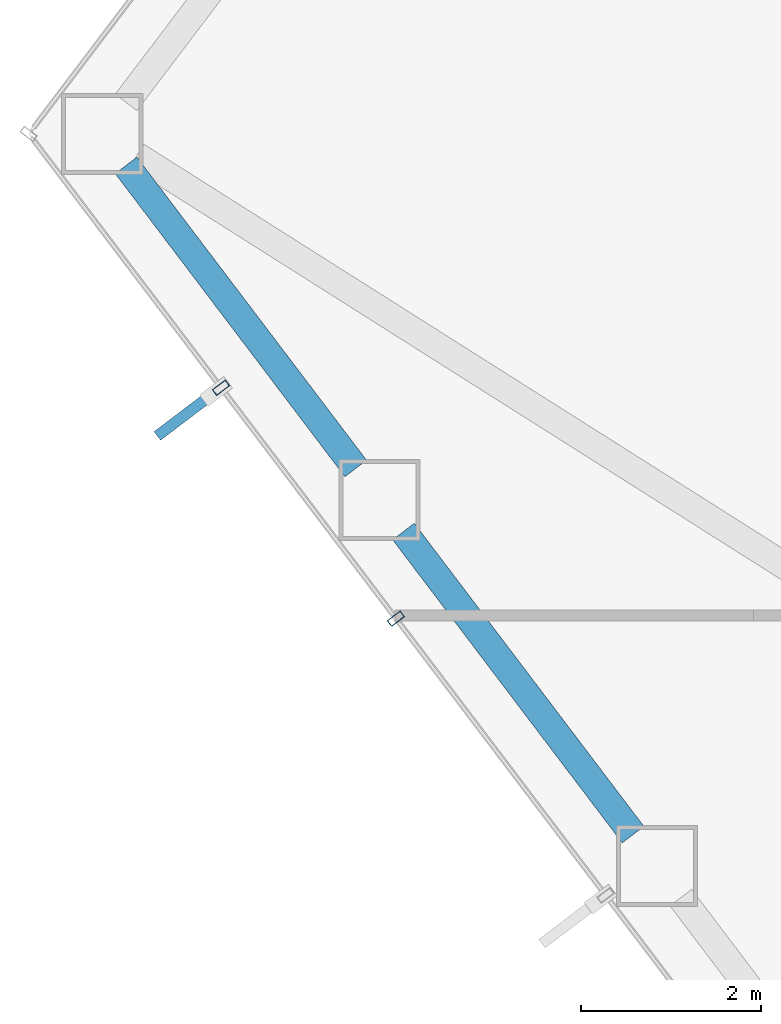
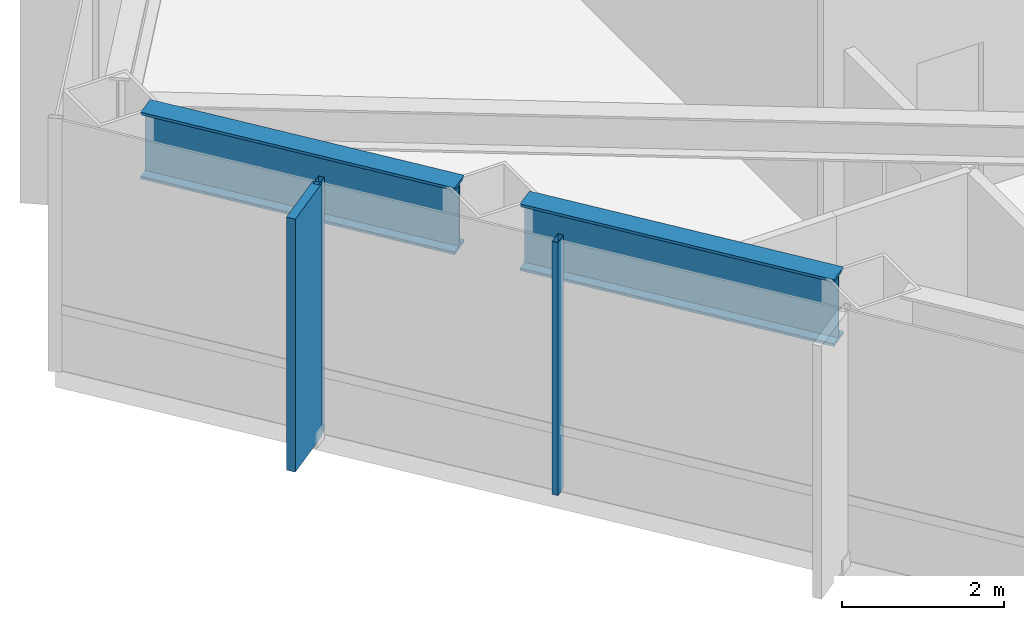
# One storey, part 4 of 24: 3 members, 2 beams, 1 element without a shape of its own.
"""IFC4 building model written with IfcOpenShell, lengths in metres."""

from ifc_helpers import new_model, si_unit, direction, frame, origin, origin_2d, place, context, subcontext, project, spatial, rectangle, hollow_rectangle, i_section, extrude, material, layer, layer_set, material_profile, profile_set, type_object, element, aggregate, save


model = new_model("IFC4")

# Units and contexts
model_context = context("Model", 3, precision=1e-05, world=origin(), true_north=direction((0.0, 1.0)))
body_context = subcontext(model_context, "Body", "Model", "MODEL_VIEW")
ifc_project = project(units=[si_unit("LENGTHUNIT", "METRE"), si_unit("AREAUNIT", "SQUARE_METRE"), si_unit("VOLUMEUNIT", "CUBIC_METRE"), si_unit("PLANEANGLEUNIT", "RADIAN"), si_unit("MASSUNIT", "GRAM", prefix="KILO")], contexts=[model_context])

# Site, building, storey
site_placement = place(None, origin())
site = spatial("IfcSite", under=ifc_project, at=site_placement, CompositionType="ELEMENT")
building_placement = place(site_placement, origin())
building = spatial("IfcBuilding", under=site, at=building_placement, Name="Zarrinselat Tower", CompositionType="ELEMENT")
storey_placement = place(building_placement, frame((0.0, 0.0, 76.5)))
storey = spatial("IfcBuildingStorey", under=building, at=storey_placement, Name="L18", CompositionType="ELEMENT", Elevation=76.5)

# Beams
ifc_material_1 = material(Name="Steel S460M", Category="steel")
ifc_material_profile_1 = material_profile(ifc_material_1, i_section(OverallWidth=0.302001953125, OverallDepth=1.008056640625, WebThickness=0.02099609375, FlangeThickness=0.0400390625, at=origin_2d()), Name="HEM 1000")
ifc_profile_set_1 = profile_set([ifc_material_profile_1], Name="Steel S460M")
beam_type = type_object("IfcBeamType", Name="BM-HEM1000", PredefinedType="BEAM", material=ifc_profile_set_1)
for number, where, z_axis, x_axis, name in (
    (1, (16.54541015625, 35.1376953125, 3.31591796875), (0.603894488419, -0.797064267708, 0.0), (0.797064267708, 0.603894488419, 0.0), "L18 Perimeter Spandrel Girder SP06"),
    (2, (19.61962890625, 31.079833984375, 3.31591796875), (0.603829808342, -0.797113268336, 0.0), (0.797113268336, 0.603829808342, 0.0), "L18 Perimeter Spandrel Girder SP07"),
):
    element("IfcBeam", number, at=place(storey_placement, frame(where, z_axis=z_axis, x_axis=x_axis)), inside=storey, type_object=beam_type, Name=name, PredefinedType="BEAM", context=body_context, shape_type="SweptSolid", body=[
        extrude(i_section(OverallWidth=0.302001953125, OverallDepth=1.008056640625, WebThickness=0.02099609375, FlangeThickness=0.0400390625, at=origin_2d()), origin(), (0.0, 0.0, 1.0), 4.215087890625),
    ])

# Curtain wall, members
ifc_material_2 = material(Name="Extruded Aluminium Alloy EN AW-6063 T6", Category="aluminium")
ifc_layer = layer(ifc_material_2, 0.18505859375)
ifc_layer_set = layer_set([ifc_layer], Name="Extruded Aluminium Alloy EN AW-6063 T6")
curtain_wall_type = type_object("IfcCurtainWallType", Name="CWS-OFF", PredefinedType="NOTDEFINED", material=ifc_layer_set)
curtain_wall_placement = place(storey_placement, origin())
curtain_wall = element("IfcCurtainWall", 3, at=curtain_wall_placement, inside=storey, type_object=curtain_wall_type, Name="L18 Unitised Curtain Wall CW-L18-E03", PredefinedType="NOTDEFINED")
ifc_material_3 = material(Name="Extruded Aluminium Alloy EN AW-6063 T6", Category="aluminium")
ifc_material_profile_2 = material_profile(ifc_material_3, hollow_rectangle(XDim=0.080078125, YDim=0.179931640625, WallThickness=0.0048828125, at=origin_2d()), Name="RHS 180x80x5")
ifc_profile_set_2 = profile_set([ifc_material_profile_2], Name="Extruded Aluminium Alloy EN AW-6063 T6")
member_type_1 = type_object("IfcMemberType", Name="MEM-CW-MUL", PredefinedType="MULLION", material=ifc_profile_set_2)
member_1_placement = place(storey_placement, frame((17.596923828125, 32.673095703125, 0.0), z_axis=(0.0, 0.0, 1.0), x_axis=(0.603854869931, -0.797094283044, 0.0)))
member_1 = element("IfcMember", 4, at=member_1_placement, type_object=member_type_1, Name="CW-L18-E03 Mullion 1", PredefinedType="MULLION", context=body_context, shape_type="SweptSolid", body=[
    extrude(hollow_rectangle(XDim=0.080078125, YDim=0.179931640625, WallThickness=0.0048828125, at=origin_2d()), origin(), (0.0, 0.0, 1.0), 3.820068359375),
])
member_2_placement = place(storey_placement, frame((19.535888671875, 30.11376953125, 0.0), z_axis=(0.0, 0.0, 1.0), x_axis=(0.603854869931, -0.797094283044, 0.0)))
member_2 = element("IfcMember", 5, at=member_2_placement, type_object=member_type_1, Name="CW-L18-E03 Mullion 2", PredefinedType="MULLION", context=body_context, shape_type="SweptSolid", body=[
    extrude(hollow_rectangle(XDim=0.080078125, YDim=0.179931640625, WallThickness=0.0048828125, at=origin_2d()), origin(), (0.0, 0.0, 1.0), 3.820068359375),
])
ifc_material_4 = material(Name="Honed Cream Travertine Stone", Category="masonry")
ifc_material_profile_3 = material_profile(ifc_material_4, rectangle(XDim=0.1201171875, YDim=0.85009765625, at=origin_2d()), Name="FIN 850x120")
ifc_profile_set_3 = profile_set([ifc_material_profile_3], Name="Honed Cream Travertine Stone")
member_type_2 = type_object("IfcMemberType", Name="MEM-STONE-FIN", PredefinedType="USERDEFINED", material=ifc_profile_set_3)
member_3_placement = place(storey_placement, frame((17.230224609375, 32.3955078125, 0.0), z_axis=(0.0, 0.0, 1.0), x_axis=(-0.603854869931, 0.797094283044, 0.0)))
member_3 = element("IfcMember", 6, at=member_3_placement, type_object=member_type_2, Name="L18 Stone Shading Fin CW-L18-E03-01", ObjectType="FIN", PredefinedType="USERDEFINED", context=body_context, shape_type="SweptSolid", body=[
    extrude(rectangle(XDim=0.1201171875, YDim=0.85009765625, at=origin_2d()), origin(), (0.0, 0.0, 1.0), 3.820068359375),
])
aggregate(curtain_wall, [member_1, member_3, member_2])

save(model, "model.ifc")
